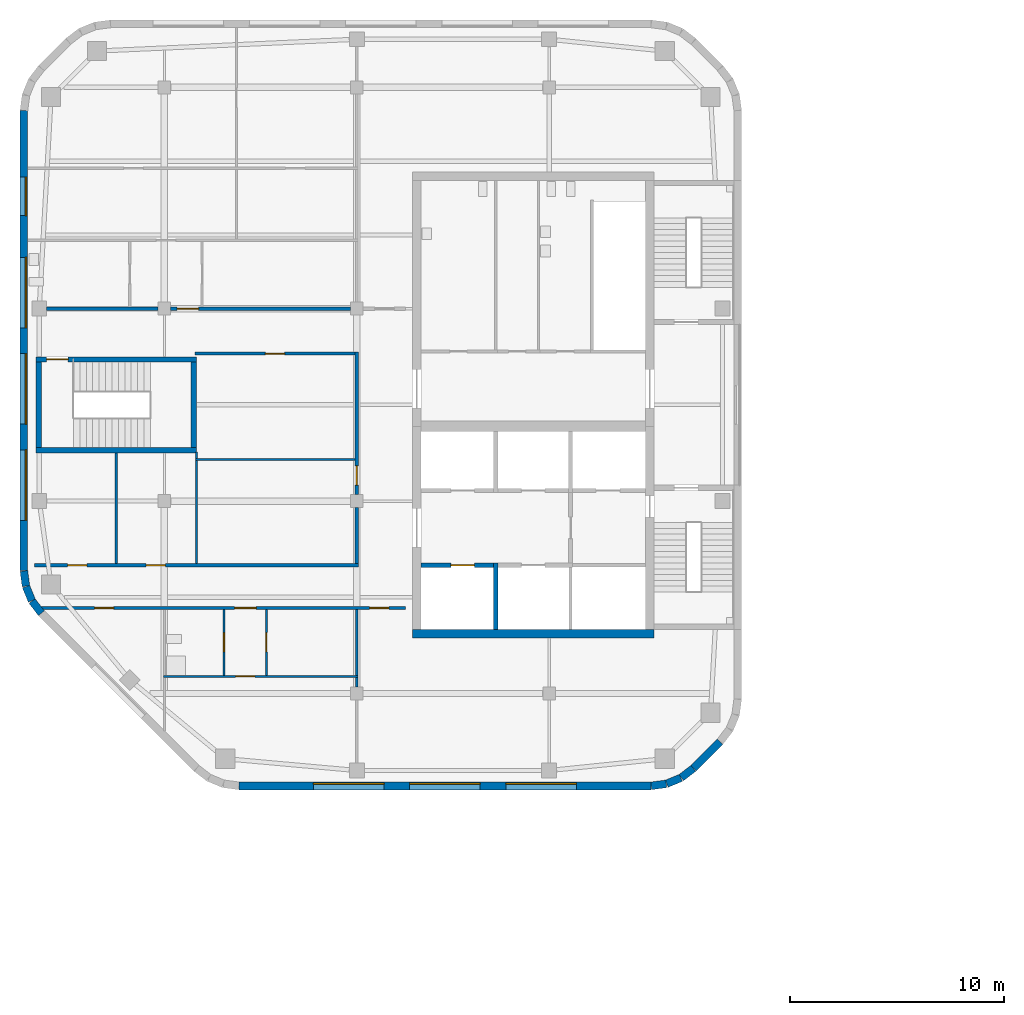
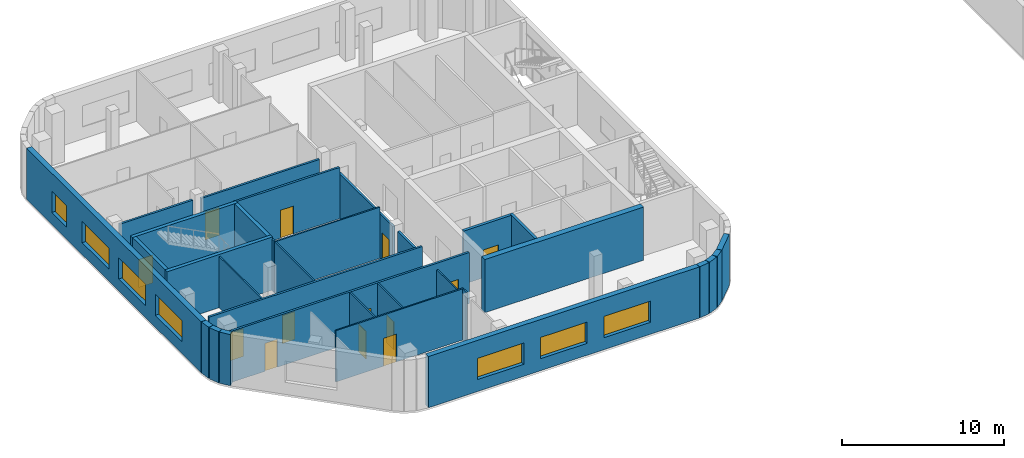
# One storey, part 5 of 14: 32 walls, 13 doors, 7 windows, 20 openings.
"""IFC4 building model written with IfcOpenShell, lengths in metres."""

import ifcopenshell
import ifcopenshell.guid

model = None  # the IFC model being written
_history = None  # IfcOwnerHistory: only IFC2X3 demands one
_inside = {}  # id of a spatial element -> (the spatial element, [elements in it])
_under = {}  # id of a project, library or spatial element -> (it, [spatial elements below it])
_declared = {}  # id of a project -> (the project, [libraries it declares])
_typed = {}  # id of a type object -> (the type object, [elements of that type])
_made_of = {}  # id of a material, layer set ... -> (it, [elements and type objects made of it])


def new_model(schema):
    """Start an empty IFC model of exactly this schema.

    Asked for "IFC4X3", IfcOpenShell would pick the latest addendum, in which some entities
    have other attributes; the version numbers below select the first issue.
    IFC2X3 requires an IfcOwnerHistory on every rooted entity: one is made here for all.
    """
    global model, _history
    if schema == "IFC4X3":
        model = ifcopenshell.file(schema_version=(4, 3, 0, 0))
    else:
        model = ifcopenshell.file(schema=schema)
    _inside.clear()
    _under.clear()
    _declared.clear()
    _typed.clear()
    _made_of.clear()
    _history = None
    if model.schema == "IFC2X3":
        org = make("IfcOrganization", Name="unknown")
        user = make(
            "IfcPersonAndOrganization",
            ThePerson=make("IfcPerson", FamilyName="unknown"),
            TheOrganization=org,
        )
        app = make(
            "IfcApplication",
            ApplicationDeveloper=org,
            Version="unknown",
            ApplicationFullName="unknown",
            ApplicationIdentifier="unknown",
        )
        _history = make(
            "IfcOwnerHistory",
            OwningUser=user,
            OwningApplication=app,
            ChangeAction="ADDED",
            CreationDate=0,
        )
    return model


def make(cls, **values):
    """One entity of the class cls with the attributes given. An attribute that is None is left unset."""
    return model.create_entity(
        cls, **{name: value for name, value in values.items() if value is not None}
    )


def rooted(cls, **values):
    """An entity with a GlobalId (a new one), such as an element, a storey or a relation."""
    return make(cls, GlobalId=ifcopenshell.guid.new(), OwnerHistory=_history, **values)


def si_unit(unit_type, name, prefix=None):
    """IfcSIUnit, for example si_unit("LENGTHUNIT", "METRE", prefix="MILLI")."""
    return make("IfcSIUnit", UnitType=unit_type, Prefix=prefix, Name=name)


def assignment(units):
    """IfcUnitAssignment: the units of a project."""
    return None if units is None else make("IfcUnitAssignment", Units=units)


def point(xyz):
    """IfcCartesianPoint."""
    return None if xyz is None else make("IfcCartesianPoint", Coordinates=xyz)


def direction(xyz):
    """IfcDirection."""
    return None if xyz is None else make("IfcDirection", DirectionRatios=xyz)


def frame(location, z_axis=None, x_axis=None):
    """IfcAxis2Placement3D, a coordinate frame: its origin and axes. An axis left out is left unset."""
    return make(
        "IfcAxis2Placement3D",
        Location=point(location),
        Axis=direction(z_axis),
        RefDirection=direction(x_axis),
    )


def frame_2d(location, x_axis=None):
    """IfcAxis2Placement2D, a coordinate frame in the plane: its origin and x axis."""
    return make(
        "IfcAxis2Placement2D", Location=point(location), RefDirection=direction(x_axis)
    )


def origin():
    """The frame at (0, 0, 0) with its axes left unset."""
    return frame((0.0, 0.0, 0.0))


def place(relative_to, where):
    """IfcLocalPlacement: puts the frame where relative to a parent placement (None: the world)."""
    return make(
        "IfcLocalPlacement", PlacementRelTo=relative_to, RelativePlacement=where
    )


def context(
    kind, dimensions, precision=None, world=None, true_north=None, identifier=None
):
    """IfcGeometricRepresentationContext, for example the 3D "Model" context."""
    return make(
        "IfcGeometricRepresentationContext",
        ContextIdentifier=identifier,
        ContextType=kind,
        CoordinateSpaceDimension=dimensions,
        Precision=precision,
        WorldCoordinateSystem=world,
        TrueNorth=true_north,
    )


def subcontext(parent, identifier, kind, view, scale=None):
    """IfcGeometricRepresentationSubContext, for example "Body" below "Model"."""
    return make(
        "IfcGeometricRepresentationSubContext",
        ContextIdentifier=identifier,
        ContextType=kind,
        ParentContext=parent,
        TargetScale=scale,
        TargetView=view,
    )


def project(units=None, contexts=None):
    """IfcProject with its units and contexts."""
    return rooted(
        "IfcProject",
        Name="project",
        RepresentationContexts=contexts,
        UnitsInContext=assignment(units),
    )


def spatial(cls, under=None, at=None, **own):
    """A site, building, storey or space (cls), placed at a placement, below another one or the project."""
    s = rooted(cls, ObjectPlacement=at, **own)
    if under is not None:
        _under.setdefault(under.id(), (under, []))[1].append(s)
    return s


def profile(cls, at=None, kind="AREA", **sizes):
    """A parametric profile (cls). Its sizes go by their IFC names, for example OverallWidth=200.0."""
    return make(cls, ProfileType=kind, Position=at, **sizes)


def rectangle(**sizes):
    """IfcRectangleProfileDef."""
    return profile("IfcRectangleProfileDef", **sizes)


def extrude(swept, where, along, depth):
    """IfcExtrudedAreaSolid: the profile swept, set in the frame where, extruded along a direction by depth."""
    return make(
        "IfcExtrudedAreaSolid",
        SweptArea=swept,
        Position=where,
        ExtrudedDirection=direction(along),
        Depth=depth,
    )


def shape(context_of_items, identifier, shape_type, items):
    """IfcShapeRepresentation: the items that make up one representation, for example the "Body"."""
    return make(
        "IfcShapeRepresentation",
        ContextOfItems=context_of_items,
        RepresentationIdentifier=identifier,
        RepresentationType=shape_type,
        Items=items,
    )


def material(Name=None, Category=None):
    """IfcMaterial."""
    return make("IfcMaterial", Name=Name, Category=Category)


def layer(
    of_material, thickness, ventilated=None, Name=None, Category=None, Priority=None
):
    """IfcMaterialLayer: one layer of a wall or slab, of a material (None: an air gap)."""
    return make(
        "IfcMaterialLayer",
        Material=of_material,
        LayerThickness=thickness,
        IsVentilated=ventilated,
        Name=Name,
        Category=Category,
        Priority=Priority,
    )


def layer_set(layers, Name=None):
    """IfcMaterialLayerSet."""
    return make("IfcMaterialLayerSet", MaterialLayers=layers, LayerSetName=Name)


def made_of(thing, what):
    """Note that an element or type object is made of a material, layer set ...; save() writes the relation."""
    if what is not None:
        _made_of.setdefault(what.id(), (what, []))[1].append(thing)
    return thing


def type_object(cls, material=None, **own):
    """A type object (cls), such as IfcWallType, which elements share."""
    return made_of(rooted(cls, **own), material)


def element(
    cls,
    number,
    at=None,
    inside=None,
    cuts=None,
    type_object=None,
    material=None,
    context=None,
    identifier="Body",
    shape_type=None,
    held_by="IfcProductDefinitionShape",
    body=None,
    shapes=None,
    **own,
):
    """One element of the class cls, such as IfcWall. Its Tag is "e" and its number.

    at: its placement. inside: the storey or other place that contains it. cuts: it is an
    opening in that element (IfcRelVoidsElement). A single representation is given by context,
    identifier, shape_type and body (its items); several are given by shapes. held_by: the class
    of the entity that holds the representations. save() writes the other relations.
    """
    e = rooted(cls, Tag="e%d" % number, ObjectPlacement=at, **own)
    if body is not None:
        shapes = [shape(context, identifier, shape_type, body)]
    if shapes is not None:
        e.Representation = make(held_by, Representations=shapes)
    if inside is not None:
        _inside.setdefault(inside.id(), (inside, []))[1].append(e)
    if cuts is not None:
        rooted(
            "IfcRelVoidsElement", RelatingBuildingElement=cuts, RelatedOpeningElement=e
        )
    if type_object is not None:
        _typed.setdefault(type_object.id(), (type_object, []))[1].append(e)
    return made_of(e, material)


def fill(opening, filler):
    """IfcRelFillsElement: the door or window that sits in an opening."""
    return rooted(
        "IfcRelFillsElement",
        RelatingOpeningElement=opening,
        RelatedBuildingElement=filler,
    )


def aggregate(whole, parts):
    """IfcRelAggregates: a whole, such as a stair, and the parts it consists of."""
    return rooted("IfcRelAggregates", RelatingObject=whole, RelatedObjects=parts)


def save(model, path):
    """Write the relations noted so far, then the file.

    IfcRelAggregates (storeys below a building ...), IfcRelContainedInSpatialStructure (elements
    in a storey), IfcRelDefinesByType, IfcRelAssociatesMaterial and IfcRelDeclares: one each for
    every whole, place, type object, material and project.
    """
    for whole, parts in _under.values():
        aggregate(whole, parts)
    for where, things in _inside.values():
        rooted(
            "IfcRelContainedInSpatialStructure",
            RelatedElements=things,
            RelatingStructure=where,
        )
    for kind, things in _typed.values():
        rooted("IfcRelDefinesByType", RelatedObjects=things, RelatingType=kind)
    for what, things in _made_of.values():
        rooted("IfcRelAssociatesMaterial", RelatedObjects=things, RelatingMaterial=what)
    for by, libraries in _declared.values():
        rooted("IfcRelDeclares", RelatingContext=by, RelatedDefinitions=libraries)
    model.write(path)


model = new_model("IFC4")

# Units and contexts
model_context = context("Model", 3, precision=1e-05, world=origin(), true_north=direction((0.0, 1.0)))
body_context = subcontext(model_context, "Body", "Model", "MODEL_VIEW")
ifc_project = project(units=[si_unit("LENGTHUNIT", "METRE"), si_unit("AREAUNIT", "SQUARE_METRE"), si_unit("VOLUMEUNIT", "CUBIC_METRE"), si_unit("PLANEANGLEUNIT", "RADIAN"), si_unit("MASSUNIT", "GRAM", prefix="KILO")], contexts=[model_context])

# Site, building, storey
site_placement = place(None, origin())
site = spatial("IfcSite", under=ifc_project, at=site_placement, CompositionType="ELEMENT")
building_placement = place(site_placement, origin())
building = spatial("IfcBuilding", under=site, at=building_placement, Name="Cinnabar Reach Civic Tower", CompositionType="ELEMENT")
storey_placement = place(building_placement, frame((0.0, 0.0, 108.0)))
storey = spatial("IfcBuildingStorey", under=building, at=storey_placement, Name="L25", CompositionType="ELEMENT", Elevation=108.0)

# Walls
ifc_material_1 = material(Name="Facing brick with insulated backing", Category="masonry")
ifc_layer_1 = layer(ifc_material_1, 0.36)
ifc_layer_set_1 = layer_set([ifc_layer_1], Name="Brick corner wall")
wall_type_1 = type_object("IfcWallType", Name="Brick corner wall", PredefinedType="STANDARD", material=ifc_layer_set_1)
for number, where, z_axis, x_axis, name in (
    (1, (-31.2314, 13.683, 0.0), (0.0, 0.0, 1.0), (0.99144092581, 0.13055608231, 0.0), "Brick corner wall"),
    (2, (-30.5027, 13.7819, 0.0), (0.0, 0.0, 1.0), (0.923871547278, 0.382702709855, 0.0), "Brick corner wall"),
):
    element("IfcWall", number, at=place(storey_placement, frame(where, z_axis=z_axis, x_axis=x_axis)), inside=storey, type_object=wall_type_1, Name=name, PredefinedType="STANDARD", context=body_context, shape_type="SweptSolid", body=[
        extrude(rectangle(XDim=0.7131, YDim=0.36, at=frame_2d((0.3565, 0.0))), origin(), (0.0, 0.0, 1.0), 3.85),
    ])
wall_1_placement = place(storey_placement, frame((-29.8245, 14.066, 0.0), z_axis=(0.0, 0.0, 1.0), x_axis=(0.793321924995, 0.608802368033, 0.0)))
element("IfcWall", 3, at=wall_1_placement, inside=storey, type_object=wall_type_1, Name="Brick corner wall", PredefinedType="STANDARD", context=body_context, shape_type="SweptSolid", body=[
    extrude(rectangle(XDim=0.7132, YDim=0.36, at=frame_2d((0.3566, 0.0))), origin(), (0.0, 0.0, 1.0), 3.85),
])
for number, where, z_axis, x_axis, name in (
    (4, (-60.567, 23.7314, 0.0), (0.0, 0.0, 1.0), (0.13055608231, -0.99144092581, 0.0), "Brick corner wall"),
    (5, (-60.4681, 23.0027, 0.0), (0.0, 0.0, 1.0), (0.382702709855, -0.923871547278, 0.0), "Brick corner wall"),
):
    element("IfcWall", number, at=place(storey_placement, frame(where, z_axis=z_axis, x_axis=x_axis)), inside=storey, type_object=wall_type_1, Name=name, PredefinedType="STANDARD", context=body_context, shape_type="SweptSolid", body=[
        extrude(rectangle(XDim=0.7131, YDim=0.36, at=frame_2d((0.3565, 0.0))), origin(), (0.0, 0.0, 1.0), 3.85),
    ])
wall_2_placement = place(storey_placement, frame((-60.184, 22.3245, 0.0), z_axis=(0.0, 0.0, 1.0), x_axis=(0.608802368033, -0.793321924995, 0.0)))
element("IfcWall", 6, at=wall_2_placement, inside=storey, type_object=wall_type_1, Name="Brick corner wall", PredefinedType="STANDARD", context=body_context, shape_type="SweptSolid", body=[
    extrude(rectangle(XDim=0.7132, YDim=0.36, at=frame_2d((0.3566, 0.0))), origin(), (0.0, 0.0, 1.0), 3.85),
])

# Wall, openings, windows
ifc_layer_2 = layer(ifc_material_1, 0.36)
ifc_layer_set_2 = layer_set([ifc_layer_2], Name="Brick pier and spandrel wall")
wall_type_2 = type_object("IfcWallType", Name="Brick pier and spandrel wall", PredefinedType="STANDARD", material=ifc_layer_set_2)
wall_3_placement = place(storey_placement, frame((-50.5074, 13.68, 0.0), z_axis=(0.0, 0.0, 1.0), x_axis=(1.0, 0.0, 0.0)))
wall_3 = element("IfcWall", 7, at=wall_3_placement, inside=storey, type_object=wall_type_2, Name="Brick facade wall", PredefinedType="STANDARD", context=body_context, shape_type="SweptSolid", body=[
    extrude(rectangle(XDim=19.2648, YDim=0.36, at=frame_2d((9.6324, 0.0))), origin(), (0.0, 0.0, 1.0), 3.85),
])
opening_1_placement = place(wall_3_placement, frame((3.4824, 0.0, 0.9)))
opening_1 = element("IfcOpeningElement", 8, at=opening_1_placement, cuts=wall_3, Name="Opening W2695", PredefinedType="OPENING", context=body_context, shape_type="SweptSolid", body=[
    extrude(rectangle(XDim=3.3, YDim=1.6, at=frame_2d((1.65, 0.8))), frame((0.0, 0.19, 0.0), z_axis=(0.0, -1.0, 0.0), x_axis=(1.0, 0.0, 0.0)), (0.0, 0.0, 1.0), 0.38),
])
opening_2_placement = place(wall_3_placement, frame((7.9824, 0.0, 0.9)))
opening_2 = element("IfcOpeningElement", 9, at=opening_2_placement, cuts=wall_3, Name="Opening W2696", PredefinedType="OPENING", context=body_context, shape_type="SweptSolid", body=[
    extrude(rectangle(XDim=3.3, YDim=1.6, at=frame_2d((1.65, 0.8))), frame((0.0, 0.19, 0.0), z_axis=(0.0, -1.0, 0.0), x_axis=(1.0, 0.0, 0.0)), (0.0, 0.0, 1.0), 0.38),
])
opening_3_placement = place(wall_3_placement, frame((12.4824, 0.0, 0.9)))
opening_3 = element("IfcOpeningElement", 10, at=opening_3_placement, cuts=wall_3, Name="Opening W2697", PredefinedType="OPENING", context=body_context, shape_type="SweptSolid", body=[
    extrude(rectangle(XDim=3.3, YDim=1.6, at=frame_2d((1.65, 0.8))), frame((0.0, 0.19, 0.0), z_axis=(0.0, -1.0, 0.0), x_axis=(1.0, 0.0, 0.0)), (0.0, 0.0, 1.0), 0.38),
])
ifc_material_2 = material(Name="Clear double glazing in aluminium frame", Category="aluminium")
window_type_1 = type_object("IfcWindowType", Name="Deep-set window A", PartitioningType="SINGLE_PANEL", PredefinedType="WINDOW", material=ifc_material_2)
window_1_placement = place(opening_1_placement, origin())
window_1 = element("IfcWindow", 11, at=window_1_placement, inside=storey, type_object=window_type_1, Name="Window south face", OverallHeight=1.6, OverallWidth=3.3, PartitioningType="SINGLE_PANEL", PredefinedType="WINDOW", context=body_context, shape_type="SweptSolid", body=[
    extrude(rectangle(XDim=3.3, YDim=1.6, at=frame_2d((1.65, 0.8))), frame((0.0, 0.13, 0.0), z_axis=(0.0, -1.0, 0.0), x_axis=(1.0, 0.0, 0.0)), (0.0, 0.0, 1.0), 0.06),
])
fill(opening_1, window_1)
window_2_placement = place(opening_2_placement, origin())
window_2 = element("IfcWindow", 12, at=window_2_placement, inside=storey, type_object=window_type_1, Name="Window south face", OverallHeight=1.6, OverallWidth=3.3, PartitioningType="SINGLE_PANEL", PredefinedType="WINDOW", context=body_context, shape_type="SweptSolid", body=[
    extrude(rectangle(XDim=3.3, YDim=1.6, at=frame_2d((1.65, 0.8))), frame((0.0, 0.13, 0.0), z_axis=(0.0, -1.0, 0.0), x_axis=(1.0, 0.0, 0.0)), (0.0, 0.0, 1.0), 0.06),
])
fill(opening_2, window_2)
window_3_placement = place(opening_3_placement, origin())
window_3 = element("IfcWindow", 13, at=window_3_placement, inside=storey, type_object=window_type_1, Name="Window south face", OverallHeight=1.6, OverallWidth=3.3, PartitioningType="SINGLE_PANEL", PredefinedType="WINDOW", context=body_context, shape_type="SweptSolid", body=[
    extrude(rectangle(XDim=3.3, YDim=1.6, at=frame_2d((1.65, 0.8))), frame((0.0, 0.13, 0.0), z_axis=(0.0, -1.0, 0.0), x_axis=(1.0, 0.0, 0.0)), (0.0, 0.0, 1.0), 0.06),
])
fill(opening_3, window_3)

# Wall
wall_4_placement = place(storey_placement, frame((-29.2486, 14.506, 0.0), z_axis=(0.0, 0.0, 1.0), x_axis=(0.707106781187, 0.707106781187, 0.0)))
element("IfcWall", 14, at=wall_4_placement, inside=storey, type_object=wall_type_2, Name="Brick facade wall", PredefinedType="STANDARD", context=body_context, shape_type="SweptSolid", body=[
    extrude(rectangle(XDim=1.7573, YDim=0.36, at=frame_2d((0.8787, 0.0))), origin(), (0.0, 0.0, 1.0), 3.85),
])

# Wall, openings, windows
wall_5_placement = place(storey_placement, frame((-60.57, 45.2574, 0.0), z_axis=(0.0, 0.0, 1.0), x_axis=(0.0, -1.0, 0.0)))
wall_5 = element("IfcWall", 15, at=wall_5_placement, inside=storey, type_object=wall_type_2, Name="Brick facade wall", PredefinedType="STANDARD", context=body_context, shape_type="SweptSolid", body=[
    extrude(rectangle(XDim=21.5148, YDim=0.36, at=frame_2d((10.7574, 0.0))), origin(), (0.0, 0.0, 1.0), 3.85),
])
opening_4_placement = place(wall_5_placement, frame((3.1074, 0.0, 0.9)))
opening_4 = element("IfcOpeningElement", 16, at=opening_4_placement, cuts=wall_5, Name="Opening W2704", PredefinedType="OPENING", context=body_context, shape_type="SweptSolid", body=[
    extrude(rectangle(XDim=1.8, YDim=1.6, at=frame_2d((0.9, 0.8))), frame((0.0, 0.19, 0.0), z_axis=(0.0, -1.0, 0.0), x_axis=(1.0, 0.0, 0.0)), (0.0, 0.0, 1.0), 0.38),
])
opening_5_placement = place(wall_5_placement, frame((6.8574, 0.0, 0.9)))
opening_5 = element("IfcOpeningElement", 17, at=opening_5_placement, cuts=wall_5, Name="Opening W2705", PredefinedType="OPENING", context=body_context, shape_type="SweptSolid", body=[
    extrude(rectangle(XDim=3.3, YDim=1.6, at=frame_2d((1.65, 0.8))), frame((0.0, 0.19, 0.0), z_axis=(0.0, -1.0, 0.0), x_axis=(1.0, 0.0, 0.0)), (0.0, 0.0, 1.0), 0.38),
])
opening_6_placement = place(wall_5_placement, frame((11.3574, 0.0, 0.9)))
opening_6 = element("IfcOpeningElement", 18, at=opening_6_placement, cuts=wall_5, Name="Opening W2706", PredefinedType="OPENING", context=body_context, shape_type="SweptSolid", body=[
    extrude(rectangle(XDim=3.3, YDim=1.6, at=frame_2d((1.65, 0.8))), frame((0.0, 0.19, 0.0), z_axis=(0.0, -1.0, 0.0), x_axis=(1.0, 0.0, 0.0)), (0.0, 0.0, 1.0), 0.38),
])
opening_7_placement = place(wall_5_placement, frame((15.8574, 0.0, 0.9)))
opening_7 = element("IfcOpeningElement", 19, at=opening_7_placement, cuts=wall_5, Name="Opening W2707", PredefinedType="OPENING", context=body_context, shape_type="SweptSolid", body=[
    extrude(rectangle(XDim=3.3, YDim=1.6, at=frame_2d((1.65, 0.8))), frame((0.0, 0.19, 0.0), z_axis=(0.0, -1.0, 0.0), x_axis=(1.0, 0.0, 0.0)), (0.0, 0.0, 1.0), 0.38),
])
window_4_placement = place(opening_5_placement, origin())
window_4 = element("IfcWindow", 20, at=window_4_placement, inside=storey, type_object=window_type_1, Name="Window west face", OverallHeight=1.6, OverallWidth=3.3, PartitioningType="SINGLE_PANEL", PredefinedType="WINDOW", context=body_context, shape_type="SweptSolid", body=[
    extrude(rectangle(XDim=3.3, YDim=1.6, at=frame_2d((1.65, 0.8))), frame((0.0, 0.13, 0.0), z_axis=(0.0, -1.0, 0.0), x_axis=(1.0, 0.0, 0.0)), (0.0, 0.0, 1.0), 0.06),
])
fill(opening_5, window_4)
window_5_placement = place(opening_6_placement, origin())
window_5 = element("IfcWindow", 21, at=window_5_placement, inside=storey, type_object=window_type_1, Name="Window west face", OverallHeight=1.6, OverallWidth=3.3, PartitioningType="SINGLE_PANEL", PredefinedType="WINDOW", context=body_context, shape_type="SweptSolid", body=[
    extrude(rectangle(XDim=3.3, YDim=1.6, at=frame_2d((1.65, 0.8))), frame((0.0, 0.13, 0.0), z_axis=(0.0, -1.0, 0.0), x_axis=(1.0, 0.0, 0.0)), (0.0, 0.0, 1.0), 0.06),
])
fill(opening_6, window_5)
window_6_placement = place(opening_7_placement, origin())
window_6 = element("IfcWindow", 22, at=window_6_placement, inside=storey, type_object=window_type_1, Name="Window west face", OverallHeight=1.6, OverallWidth=3.3, PartitioningType="SINGLE_PANEL", PredefinedType="WINDOW", context=body_context, shape_type="SweptSolid", body=[
    extrude(rectangle(XDim=3.3, YDim=1.6, at=frame_2d((1.65, 0.8))), frame((0.0, 0.13, 0.0), z_axis=(0.0, -1.0, 0.0), x_axis=(1.0, 0.0, 0.0)), (0.0, 0.0, 1.0), 0.06),
])
fill(opening_7, window_6)
window_type_2 = type_object("IfcWindowType", Name="Deep-set window D", PartitioningType="SINGLE_PANEL", PredefinedType="WINDOW", material=ifc_material_2)
window_7_placement = place(opening_4_placement, origin())
window_7 = element("IfcWindow", 23, at=window_7_placement, inside=storey, type_object=window_type_2, Name="Window west face", OverallHeight=1.6, OverallWidth=1.8, PartitioningType="SINGLE_PANEL", PredefinedType="WINDOW", context=body_context, shape_type="SweptSolid", body=[
    extrude(rectangle(XDim=1.8, YDim=1.6, at=frame_2d((0.9, 0.8))), frame((0.0, 0.13, 0.0), z_axis=(0.0, -1.0, 0.0), x_axis=(1.0, 0.0, 0.0)), (0.0, 0.0, 1.0), 0.06),
])
fill(opening_4, window_7)

# Wall
ifc_material_3 = material(Name="Concrete C60", Category="concrete")
ifc_layer_3 = layer(ifc_material_3, 0.4)
ifc_layer_set_3 = layer_set([ifc_layer_3], Name="Core wall 400 EI 180")
wall_type_3 = type_object("IfcWallType", Name="Core wall 400 EI 180", PredefinedType="SOLIDWALL", material=ifc_layer_set_3)
wall_6_placement = place(storey_placement, frame((-42.4, 20.8, 0.0), z_axis=(0.0, 0.0, 1.0), x_axis=(1.0, 0.0, 0.0)))
element("IfcWall", 24, at=wall_6_placement, inside=storey, type_object=wall_type_3, Name="Core wall T2 L25 S", PredefinedType="SOLIDWALL", context=body_context, shape_type="SweptSolid", body=[
    extrude(rectangle(XDim=11.3, YDim=0.4, at=frame_2d((5.65, 0.0))), origin(), (0.0, 0.0, 1.0), 4.0),
])

# Wall, opening, door
ifc_material_4 = material(Name="Gypsum board on steel studs, double layer", Category="steel")
ifc_layer_4 = layer(ifc_material_4, 0.15)
ifc_layer_set_4 = layer_set([ifc_layer_4], Name="Corridor wall 150 T2")
wall_type_4 = type_object("IfcWallType", Name="Corridor wall 150 T2", PredefinedType="PARTITIONING", material=ifc_layer_set_4)
wall_7_placement = place(storey_placement, frame((-53.7, 36.0, 0.0), z_axis=(0.0, 0.0, 1.0), x_axis=(1.0, 0.0, 0.0)))
wall_7 = element("IfcWall", 25, at=wall_7_placement, inside=storey, type_object=wall_type_4, Name="Corridor wall 2", PredefinedType="PARTITIONING", context=body_context, shape_type="SweptSolid", body=[
    extrude(rectangle(XDim=8.4, YDim=0.15, at=frame_2d((4.2, 0.0))), origin(), (0.0, 0.0, 1.0), 3.262),
])
opening_8_placement = place(wall_7_placement, frame((0.3, 0.0, 0.0)))
opening_8 = element("IfcOpeningElement", 26, at=opening_8_placement, cuts=wall_7, Name="Opening D6936", PredefinedType="OPENING", context=body_context, shape_type="SweptSolid", body=[
    extrude(rectangle(XDim=1.0, YDim=2.1, at=frame_2d((0.5, 1.05))), frame((0.0, 0.085, 0.0), z_axis=(0.0, -1.0, 0.0), x_axis=(1.0, 0.0, 0.0)), (0.0, 0.0, 1.0), 0.17),
])
ifc_material_5 = material(Name="Timber door leaf in steel frame", Category="steel")
door_type_1 = type_object("IfcDoorType", Name="Tenancy entrance door 1000 x 2100 T2", OperationType="SINGLE_SWING_LEFT", PredefinedType="DOOR", material=ifc_material_5)
door_1_placement = place(opening_8_placement, origin())
door_1 = element("IfcDoor", 27, at=door_1_placement, inside=storey, type_object=door_type_1, Name="Door D6936", OperationType="SINGLE_SWING_RIGHT", OverallHeight=2.1, OverallWidth=1.0, PredefinedType="DOOR", context=body_context, shape_type="SweptSolid", body=[
    extrude(rectangle(XDim=1.0, YDim=2.1, at=frame_2d((0.5, 1.05))), frame((0.0, 0.025, 0.0), z_axis=(0.0, -1.0, 0.0), x_axis=(1.0, 0.0, 0.0)), (0.0, 0.0, 1.0), 0.05),
])
fill(opening_8, door_1)

# Wall
wall_8_placement = place(storey_placement, frame((-59.5, 36.0, 0.0), z_axis=(0.0, 0.0, 1.0), x_axis=(1.0, 0.0, 0.0)))
element("IfcWall", 28, at=wall_8_placement, inside=storey, type_object=wall_type_4, Name="Corridor wall 3", PredefinedType="PARTITIONING", context=body_context, shape_type="SweptSolid", body=[
    extrude(rectangle(XDim=5.2, YDim=0.15, at=frame_2d((2.6, 0.0))), origin(), (0.0, 0.0, 1.0), 3.35),
])

# Wall, openings, doors
wall_9_placement = place(storey_placement, frame((-59.7657, 22.0, 0.0), z_axis=(0.0, 0.0, 1.0), x_axis=(1.0, 0.0, 0.0)))
wall_9 = element("IfcWall", 29, at=wall_9_placement, inside=storey, type_object=wall_type_4, Name="Corridor wall 4", PredefinedType="PARTITIONING", context=body_context, shape_type="SweptSolid", body=[
    extrude(rectangle(XDim=17.0407, YDim=0.15, at=frame_2d((8.5204, 0.0))), origin(), (0.0, 0.0, 1.0), 3.85),
])
opening_9_placement = place(wall_9_placement, frame((15.3657, 0.0, 0.0)))
opening_9 = element("IfcOpeningElement", 30, at=opening_9_placement, cuts=wall_9, Name="Opening D6924", PredefinedType="OPENING", context=body_context, shape_type="SweptSolid", body=[
    extrude(rectangle(XDim=0.9, YDim=2.1, at=frame_2d((0.45, 1.05))), frame((0.0, 0.085, 0.0), z_axis=(0.0, -1.0, 0.0), x_axis=(1.0, 0.0, 0.0)), (0.0, 0.0, 1.0), 0.17),
])
opening_10_placement = place(wall_9_placement, frame((2.5, 0.0, 0.0)))
opening_10 = element("IfcOpeningElement", 31, at=opening_10_placement, cuts=wall_9, Name="Opening D6925", PredefinedType="OPENING", context=body_context, shape_type="SweptSolid", body=[
    extrude(rectangle(XDim=0.9, YDim=2.1, at=frame_2d((0.45, 1.05))), frame((0.0, 0.085, 0.0), z_axis=(0.0, -1.0, 0.0), x_axis=(1.0, 0.0, 0.0)), (0.0, 0.0, 1.0), 0.17),
])
opening_11_placement = place(wall_9_placement, frame((9.0557, 0.0, 0.0)))
opening_11 = element("IfcOpeningElement", 32, at=opening_11_placement, cuts=wall_9, Name="Opening D6929", PredefinedType="OPENING", context=body_context, shape_type="SweptSolid", body=[
    extrude(rectangle(XDim=1.0, YDim=2.1, at=frame_2d((0.5, 1.05))), frame((0.0, 0.085, 0.0), z_axis=(0.0, -1.0, 0.0), x_axis=(1.0, 0.0, 0.0)), (0.0, 0.0, 1.0), 0.17),
])
door_type_2 = type_object("IfcDoorType", Name="Single swing door 900 x 2100 T2", OperationType="SINGLE_SWING_LEFT", PredefinedType="DOOR", material=ifc_material_5)
door_2_placement = place(opening_9_placement, frame((0.9, 0.0, 0.0), z_axis=(0.0, 0.0, 1.0), x_axis=(-1.0, 0.0, 0.0)))
door_2 = element("IfcDoor", 33, at=door_2_placement, inside=storey, type_object=door_type_2, Name="Door D6924", OperationType="SINGLE_SWING_RIGHT", OverallHeight=2.1, OverallWidth=0.9, PredefinedType="DOOR", context=body_context, shape_type="SweptSolid", body=[
    extrude(rectangle(XDim=0.9, YDim=2.1, at=frame_2d((0.45, 1.05))), frame((0.0, 0.025, 0.0), z_axis=(0.0, -1.0, 0.0), x_axis=(1.0, 0.0, 0.0)), (0.0, 0.0, 1.0), 0.05),
])
fill(opening_9, door_2)
door_3_placement = place(opening_10_placement, frame((0.9, 0.0, 0.0), z_axis=(0.0, 0.0, 1.0), x_axis=(-1.0, 0.0, 0.0)))
door_3 = element("IfcDoor", 34, at=door_3_placement, inside=storey, type_object=door_type_2, Name="Door D6925", OperationType="SINGLE_SWING_LEFT", OverallHeight=2.1, OverallWidth=0.9, PredefinedType="DOOR", context=body_context, shape_type="SweptSolid", body=[
    extrude(rectangle(XDim=0.9, YDim=2.1, at=frame_2d((0.45, 1.05))), frame((0.0, 0.025, 0.0), z_axis=(0.0, -1.0, 0.0), x_axis=(1.0, 0.0, 0.0)), (0.0, 0.0, 1.0), 0.05),
])
fill(opening_10, door_3)
door_4_placement = place(opening_11_placement, frame((1.0, 0.0, 0.0), z_axis=(0.0, 0.0, 1.0), x_axis=(-1.0, 0.0, 0.0)))
door_4 = element("IfcDoor", 35, at=door_4_placement, inside=storey, type_object=door_type_1, Name="Door D6929", OperationType="SINGLE_SWING_RIGHT", OverallHeight=2.1, OverallWidth=1.0, PredefinedType="DOOR", context=body_context, shape_type="SweptSolid", body=[
    extrude(rectangle(XDim=1.0, YDim=2.1, at=frame_2d((0.5, 1.05))), frame((0.0, 0.025, 0.0), z_axis=(0.0, -1.0, 0.0), x_axis=(1.0, 0.0, 0.0)), (0.0, 0.0, 1.0), 0.05),
])
fill(opening_11, door_4)

wall_10_placement = place(storey_placement, frame((-60.075, 24.0, 0.0), z_axis=(0.0, 0.0, 1.0), x_axis=(1.0, 0.0, 0.0)))
wall_10 = element("IfcWall", 36, at=wall_10_placement, inside=storey, type_object=wall_type_4, Name="Corridor wall 5", PredefinedType="PARTITIONING", context=body_context, shape_type="SweptSolid", body=[
    extrude(rectangle(XDim=15.15, YDim=0.15, at=frame_2d((7.575, 0.0))), origin(), (0.0, 0.0, 1.0), 3.85),
])
opening_12_placement = place(wall_10_placement, frame((1.55, 0.0, 0.0)))
opening_12 = element("IfcOpeningElement", 37, at=opening_12_placement, cuts=wall_10, Name="Opening D6937", PredefinedType="OPENING", context=body_context, shape_type="SweptSolid", body=[
    extrude(rectangle(XDim=0.9, YDim=2.1, at=frame_2d((0.45, 1.05))), frame((0.0, 0.085, 0.0), z_axis=(0.0, -1.0, 0.0), x_axis=(1.0, 0.0, 0.0)), (0.0, 0.0, 1.0), 0.17),
])
opening_13_placement = place(wall_10_placement, frame((5.225, 0.0, 0.0)))
opening_13 = element("IfcOpeningElement", 38, at=opening_13_placement, cuts=wall_10, Name="Opening D6938", PredefinedType="OPENING", context=body_context, shape_type="SweptSolid", body=[
    extrude(rectangle(XDim=0.9, YDim=2.1, at=frame_2d((0.45, 1.05))), frame((0.0, 0.085, 0.0), z_axis=(0.0, -1.0, 0.0), x_axis=(1.0, 0.0, 0.0)), (0.0, 0.0, 1.0), 0.17),
])
door_5_placement = place(opening_12_placement, origin())
door_5 = element("IfcDoor", 39, at=door_5_placement, inside=storey, type_object=door_type_2, Name="Door D6937", OperationType="SINGLE_SWING_LEFT", OverallHeight=2.1, OverallWidth=0.9, PredefinedType="DOOR", context=body_context, shape_type="SweptSolid", body=[
    extrude(rectangle(XDim=0.9, YDim=2.1, at=frame_2d((0.45, 1.05))), frame((0.0, 0.025, 0.0), z_axis=(0.0, -1.0, 0.0), x_axis=(1.0, 0.0, 0.0)), (0.0, 0.0, 1.0), 0.05),
])
fill(opening_12, door_5)
door_6_placement = place(opening_13_placement, origin())
door_6 = element("IfcDoor", 40, at=door_6_placement, inside=storey, type_object=door_type_2, Name="Door D6938", OperationType="SINGLE_SWING_RIGHT", OverallHeight=2.1, OverallWidth=0.9, PredefinedType="DOOR", context=body_context, shape_type="SweptSolid", body=[
    extrude(rectangle(XDim=0.9, YDim=2.1, at=frame_2d((0.45, 1.05))), frame((0.0, 0.025, 0.0), z_axis=(0.0, -1.0, 0.0), x_axis=(1.0, 0.0, 0.0)), (0.0, 0.0, 1.0), 0.05),
])
fill(opening_13, door_6)

# Wall
wall_11_placement = place(storey_placement, frame((-45.0, 24.075, 0.0), z_axis=(0.0, 0.0, 1.0), x_axis=(0.0, 1.0, 0.0)))
element("IfcWall", 41, at=wall_11_placement, inside=storey, type_object=wall_type_4, Name="Corridor wall 6", PredefinedType="PARTITIONING", context=body_context, shape_type="SweptSolid", body=[
    extrude(rectangle(XDim=2.625, YDim=0.15, at=frame_2d((1.3125, 0.0))), origin(), (0.0, 0.0, 1.0), 3.362),
])

# Wall, opening, door
wall_12_placement = place(storey_placement, frame((-45.0, 27.3, 0.0), z_axis=(0.0, 0.0, 1.0), x_axis=(0.0, 1.0, 0.0)))
wall_12 = element("IfcWall", 42, at=wall_12_placement, inside=storey, type_object=wall_type_4, Name="Corridor wall 7", PredefinedType="PARTITIONING", context=body_context, shape_type="SweptSolid", body=[
    extrude(rectangle(XDim=6.675, YDim=0.15, at=frame_2d((3.3375, 0.0))), origin(), (0.0, 0.0, 1.0), 3.362),
])
opening_14_placement = place(wall_12_placement, frame((0.45, 0.0, 0.0)))
opening_14 = element("IfcOpeningElement", 43, at=opening_14_placement, cuts=wall_12, Name="Opening D6939", PredefinedType="OPENING", context=body_context, shape_type="SweptSolid", body=[
    extrude(rectangle(XDim=0.9, YDim=2.1, at=frame_2d((0.45, 1.05))), frame((0.0, 0.085, 0.0), z_axis=(0.0, -1.0, 0.0), x_axis=(1.0, 0.0, 0.0)), (0.0, 0.0, 1.0), 0.17),
])
door_7_placement = place(opening_14_placement, origin())
door_7 = element("IfcDoor", 44, at=door_7_placement, inside=storey, type_object=door_type_2, Name="Door D6939", OperationType="SINGLE_SWING_RIGHT", OverallHeight=2.1, OverallWidth=0.9, PredefinedType="DOOR", context=body_context, shape_type="SweptSolid", body=[
    extrude(rectangle(XDim=0.9, YDim=2.1, at=frame_2d((0.45, 1.05))), frame((0.0, 0.025, 0.0), z_axis=(0.0, -1.0, 0.0), x_axis=(1.0, 0.0, 0.0)), (0.0, 0.0, 1.0), 0.05),
])
fill(opening_14, door_7)

wall_13_placement = place(storey_placement, frame((-52.575, 33.9, 0.0), z_axis=(0.0, 0.0, 1.0), x_axis=(1.0, 0.0, 0.0)))
wall_13 = element("IfcWall", 45, at=wall_13_placement, inside=storey, type_object=wall_type_4, Name="Corridor wall 8", PredefinedType="PARTITIONING", context=body_context, shape_type="SweptSolid", body=[
    extrude(rectangle(XDim=7.5, YDim=0.15, at=frame_2d((3.75, 0.0))), origin(), (0.0, 0.0, 1.0), 3.85),
])
opening_15_placement = place(wall_13_placement, frame((3.3, 0.0, 0.0)))
opening_15 = element("IfcOpeningElement", 46, at=opening_15_placement, cuts=wall_13, Name="Opening D6940", PredefinedType="OPENING", context=body_context, shape_type="SweptSolid", body=[
    extrude(rectangle(XDim=0.9, YDim=2.1, at=frame_2d((0.45, 1.05))), frame((0.0, 0.085, 0.0), z_axis=(0.0, -1.0, 0.0), x_axis=(1.0, 0.0, 0.0)), (0.0, 0.0, 1.0), 0.17),
])
door_8_placement = place(opening_15_placement, frame((0.9, 0.0, 0.0), z_axis=(0.0, 0.0, 1.0), x_axis=(-1.0, 0.0, 0.0)))
door_8 = element("IfcDoor", 47, at=door_8_placement, inside=storey, type_object=door_type_2, Name="Door D6940", OperationType="SINGLE_SWING_RIGHT", OverallHeight=2.1, OverallWidth=0.9, PredefinedType="DOOR", context=body_context, shape_type="SweptSolid", body=[
    extrude(rectangle(XDim=0.9, YDim=2.1, at=frame_2d((0.45, 1.05))), frame((0.0, 0.025, 0.0), z_axis=(0.0, -1.0, 0.0), x_axis=(1.0, 0.0, 0.0)), (0.0, 0.0, 1.0), 0.05),
])
fill(opening_15, door_8)

ifc_material_6 = material(Name="Gypsum board on steel studs", Category="steel")
ifc_layer_5 = layer(ifc_material_6, 0.1)
ifc_layer_set_5 = layer_set([ifc_layer_5], Name="Partition wall 100 T2")
wall_type_5 = type_object("IfcWallType", Name="Partition wall 100 T2", PredefinedType="PARTITIONING", material=ifc_layer_set_5)
wall_14_placement = place(storey_placement, frame((-54.05, 18.8, 0.0), z_axis=(0.0, 0.0, 1.0), x_axis=(1.0, 0.0, 0.0)))
wall_14 = element("IfcWall", 48, at=wall_14_placement, inside=storey, type_object=wall_type_5, Name="Partition wall 17", PredefinedType="PARTITIONING", context=body_context, shape_type="SweptSolid", body=[
    extrude(rectangle(XDim=9.1, YDim=0.1, at=frame_2d((4.55, 0.0))), origin(), (0.0, 0.0, 1.0), 3.85),
])
opening_16_placement = place(wall_14_placement, frame((3.39, 0.0, 0.0)))
opening_16 = element("IfcOpeningElement", 49, at=opening_16_placement, cuts=wall_14, Name="Opening D6928", PredefinedType="OPENING", context=body_context, shape_type="SweptSolid", body=[
    extrude(rectangle(XDim=0.9, YDim=2.1, at=frame_2d((0.45, 1.05))), frame((0.0, 0.06, 0.0), z_axis=(0.0, -1.0, 0.0), x_axis=(1.0, 0.0, 0.0)), (0.0, 0.0, 1.0), 0.12),
])
door_9_placement = place(opening_16_placement, origin())
door_9 = element("IfcDoor", 50, at=door_9_placement, inside=storey, type_object=door_type_2, Name="Door D6928", OperationType="SINGLE_SWING_RIGHT", OverallHeight=2.1, OverallWidth=0.9, PredefinedType="DOOR", context=body_context, shape_type="SweptSolid", body=[
    extrude(rectangle(XDim=0.9, YDim=2.1, at=frame_2d((0.45, 1.05))), frame((0.0, 0.025, 0.0), z_axis=(0.0, -1.0, 0.0), x_axis=(1.0, 0.0, 0.0)), (0.0, 0.0, 1.0), 0.05),
])
fill(opening_16, door_9)

# Walls
wall_15_placement = place(storey_placement, frame((-45.0, 18.85, 0.0), z_axis=(0.0, 0.0, 1.0), x_axis=(0.0, 1.0, 0.0)))
element("IfcWall", 51, at=wall_15_placement, inside=storey, type_object=wall_type_5, Name="Partition wall 18", PredefinedType="PARTITIONING", context=body_context, shape_type="SweptSolid", body=[
    extrude(rectangle(XDim=3.075, YDim=0.1, at=frame_2d((1.5375, 0.0))), origin(), (0.0, 0.0, 1.0), 3.362),
])
wall_16_placement = place(storey_placement, frame((-45.0, 18.3, 0.0), z_axis=(0.0, 0.0, 1.0), x_axis=(0.0, 1.0, 0.0)))
element("IfcWall", 52, at=wall_16_placement, inside=storey, type_object=wall_type_5, Name="Partition wall 19", PredefinedType="PARTITIONING", context=body_context, shape_type="SweptSolid", body=[
    extrude(rectangle(XDim=0.45, YDim=0.1, at=frame_2d((0.225, 0.0))), origin(), (0.0, 0.0, 1.0), 3.85),
])
wall_17_placement = place(storey_placement, frame((-52.55, 28.95, 0.0), z_axis=(0.0, 0.0, 1.0), x_axis=(1.0, 0.0, 0.0)))
element("IfcWall", 53, at=wall_17_placement, inside=storey, type_object=wall_type_5, Name="Partition wall 21", PredefinedType="PARTITIONING", context=body_context, shape_type="SweptSolid", body=[
    extrude(rectangle(XDim=7.475, YDim=0.1, at=frame_2d((3.7375, 0.0))), origin(), (0.0, 0.0, 1.0), 3.85),
])
wall_18_placement = place(storey_placement, frame((-56.25, 24.075, 0.0), z_axis=(0.0, 0.0, 1.0), x_axis=(0.0, 1.0, 0.0)))
element("IfcWall", 54, at=wall_18_placement, inside=storey, type_object=wall_type_5, Name="Partition wall 24", PredefinedType="PARTITIONING", context=body_context, shape_type="SweptSolid", body=[
    extrude(rectangle(XDim=5.175, YDim=0.1, at=frame_2d((2.5875, 0.0))), origin(), (0.0, 0.0, 1.0), 3.85),
])
wall_19_placement = place(storey_placement, frame((-52.5, 29.0, 0.0), z_axis=(0.0, 0.0, 1.0), x_axis=(0.0, 1.0, 0.0)))
element("IfcWall", 55, at=wall_19_placement, inside=storey, type_object=wall_type_5, Name="Partition wall 25", PredefinedType="PARTITIONING", context=body_context, shape_type="SweptSolid", body=[
    extrude(rectangle(XDim=0.3, YDim=0.1, at=frame_2d((0.15, 0.0))), origin(), (0.0, 0.0, 1.0), 3.85),
])
wall_20_placement = place(storey_placement, frame((-52.5, 24.075, 0.0), z_axis=(0.0, 0.0, 1.0), x_axis=(0.0, 1.0, 0.0)))
element("IfcWall", 56, at=wall_20_placement, inside=storey, type_object=wall_type_5, Name="Partition wall 26", PredefinedType="PARTITIONING", context=body_context, shape_type="SweptSolid", body=[
    extrude(rectangle(XDim=4.825, YDim=0.1, at=frame_2d((2.4125, 0.0))), origin(), (0.0, 0.0, 1.0), 3.85),
])

# Wall, opening, door
wall_21_placement = place(storey_placement, frame((-51.21, 18.85, 0.0), z_axis=(0.0, 0.0, 1.0), x_axis=(0.0, 1.0, 0.0)))
wall_21 = element("IfcWall", 57, at=wall_21_placement, inside=storey, type_object=wall_type_5, Name="Partition wall 29", PredefinedType="PARTITIONING", context=body_context, shape_type="SweptSolid", body=[
    extrude(rectangle(XDim=3.075, YDim=0.1, at=frame_2d((1.5375, 0.0))), origin(), (0.0, 0.0, 1.0), 3.85),
])
opening_17_placement = place(wall_21_placement, frame((1.1, 0.0, 0.0)))
opening_17 = element("IfcOpeningElement", 58, at=opening_17_placement, cuts=wall_21, Name="Opening D6926", PredefinedType="OPENING", context=body_context, shape_type="SweptSolid", body=[
    extrude(rectangle(XDim=0.9, YDim=2.1, at=frame_2d((0.45, 1.05))), frame((0.0, 0.06, 0.0), z_axis=(0.0, -1.0, 0.0), x_axis=(1.0, 0.0, 0.0)), (0.0, 0.0, 1.0), 0.12),
])
door_10_placement = place(opening_17_placement, origin())
door_10 = element("IfcDoor", 59, at=door_10_placement, inside=storey, type_object=door_type_2, Name="Door D6926", OperationType="SINGLE_SWING_LEFT", OverallHeight=2.1, OverallWidth=0.9, PredefinedType="DOOR", context=body_context, shape_type="SweptSolid", body=[
    extrude(rectangle(XDim=0.9, YDim=2.1, at=frame_2d((0.45, 1.05))), frame((0.0, 0.025, 0.0), z_axis=(0.0, -1.0, 0.0), x_axis=(1.0, 0.0, 0.0)), (0.0, 0.0, 1.0), 0.05),
])
fill(opening_17, door_10)

wall_22_placement = place(storey_placement, frame((-49.23, 18.85, 0.0), z_axis=(0.0, 0.0, 1.0), x_axis=(0.0, 1.0, 0.0)))
wall_22 = element("IfcWall", 60, at=wall_22_placement, inside=storey, type_object=wall_type_5, Name="Partition wall 30", PredefinedType="PARTITIONING", context=body_context, shape_type="SweptSolid", body=[
    extrude(rectangle(XDim=3.075, YDim=0.1, at=frame_2d((1.5375, 0.0))), origin(), (0.0, 0.0, 1.0), 3.85),
])
opening_18_placement = place(wall_22_placement, frame((1.1, 0.0, 0.0)))
opening_18 = element("IfcOpeningElement", 61, at=opening_18_placement, cuts=wall_22, Name="Opening D6927", PredefinedType="OPENING", context=body_context, shape_type="SweptSolid", body=[
    extrude(rectangle(XDim=0.9, YDim=2.1, at=frame_2d((0.45, 1.05))), frame((0.0, 0.06, 0.0), z_axis=(0.0, -1.0, 0.0), x_axis=(1.0, 0.0, 0.0)), (0.0, 0.0, 1.0), 0.12),
])
door_11_placement = place(opening_18_placement, origin())
door_11 = element("IfcDoor", 62, at=door_11_placement, inside=storey, type_object=door_type_2, Name="Door D6927", OperationType="SINGLE_SWING_RIGHT", OverallHeight=2.1, OverallWidth=0.9, PredefinedType="DOOR", context=body_context, shape_type="SweptSolid", body=[
    extrude(rectangle(XDim=0.9, YDim=2.1, at=frame_2d((0.45, 1.05))), frame((0.0, 0.025, 0.0), z_axis=(0.0, -1.0, 0.0), x_axis=(1.0, 0.0, 0.0)), (0.0, 0.0, 1.0), 0.05),
])
fill(opening_18, door_11)

# Wall
ifc_layer_6 = layer(ifc_material_3, 0.25)
ifc_layer_set_6 = layer_set([ifc_layer_6], Name="Stair shaft wall 250 EI 120")
wall_type_6 = type_object("IfcWallType", Name="Stair shaft wall 250 EI 120", PredefinedType="SOLIDWALL", material=ifc_layer_set_6)
wall_23_placement = place(storey_placement, frame((-60.0, 29.375, 0.0), z_axis=(0.0, 0.0, 1.0), x_axis=(1.0, 0.0, 0.0)))
element("IfcWall", 63, at=wall_23_placement, inside=storey, type_object=wall_type_6, Name="Stair shaft wall T2-S3 L25", PredefinedType="SOLIDWALL", context=body_context, shape_type="SweptSolid", body=[
    extrude(rectangle(XDim=7.5, YDim=0.25, at=frame_2d((3.75, 0.0))), origin(), (0.0, 0.0, 1.0), 4.0),
])

# Wall, opening, door
wall_24_placement = place(storey_placement, frame((-52.5, 33.625, 0.0), z_axis=(0.0, 0.0, 1.0), x_axis=(-1.0, 0.0, 0.0)))
wall_24 = element("IfcWall", 64, at=wall_24_placement, inside=storey, type_object=wall_type_6, Name="Stair shaft wall T2-S3 L25", PredefinedType="SOLIDWALL", context=body_context, shape_type="SweptSolid", body=[
    extrude(rectangle(XDim=7.5, YDim=0.25, at=frame_2d((3.75, 0.0))), origin(), (0.0, 0.0, 1.0), 4.0),
])
opening_19_placement = place(wall_24_placement, frame((6.0, 0.0, 0.0)))
opening_19 = element("IfcOpeningElement", 65, at=opening_19_placement, cuts=wall_24, Name="Opening D6941", PredefinedType="OPENING", context=body_context, shape_type="SweptSolid", body=[
    extrude(rectangle(XDim=1.0, YDim=2.1, at=frame_2d((0.5, 1.05))), frame((0.0, 0.135, 0.0), z_axis=(0.0, -1.0, 0.0), x_axis=(1.0, 0.0, 0.0)), (0.0, 0.0, 1.0), 0.27),
])
door_type_3 = type_object("IfcDoorType", Name="Stair door 1000 x 2100 T2", OperationType="SINGLE_SWING_LEFT", PredefinedType="DOOR", material=ifc_material_5)
door_12_placement = place(opening_19_placement, origin())
door_12 = element("IfcDoor", 66, at=door_12_placement, inside=storey, type_object=door_type_3, Name="Door D6941", OperationType="SINGLE_SWING_RIGHT", OverallHeight=2.1, OverallWidth=1.0, PredefinedType="DOOR", context=body_context, shape_type="SweptSolid", body=[
    extrude(rectangle(XDim=1.0, YDim=2.1, at=frame_2d((0.5, 1.05))), frame((0.0, 0.025, 0.0), z_axis=(0.0, -1.0, 0.0), x_axis=(1.0, 0.0, 0.0)), (0.0, 0.0, 1.0), 0.05),
])
fill(opening_19, door_12)

# Walls
for number, where, z_axis, x_axis, name in (
    (67, (-52.625, 29.5, 0.0), (0.0, 0.0, 1.0), (0.0, 1.0, 0.0), "Stair shaft wall T2-S3 L25"),
    (68, (-59.875, 33.5, 0.0), (0.0, 0.0, 1.0), (0.0, -1.0, 0.0), "Stair shaft wall T2-S3 L25"),
):
    element("IfcWall", number, at=place(storey_placement, frame(where, z_axis=z_axis, x_axis=x_axis)), inside=storey, type_object=wall_type_6, Name=name, PredefinedType="SOLIDWALL", context=body_context, shape_type="SweptSolid", body=[
        extrude(rectangle(XDim=4.0, YDim=0.25, at=frame_2d((2.0, 0.0))), origin(), (0.0, 0.0, 1.0), 4.0),
    ])
ifc_material_7 = material(Name="Concrete C40", Category="concrete")
ifc_layer_7 = layer(ifc_material_7, 0.2)
ifc_layer_set_7 = layer_set([ifc_layer_7], Name="T2 Shaft wall 200")
wall_type_7 = type_object("IfcWallType", Name="T2 Shaft wall 200", PredefinedType="SOLIDWALL", material=ifc_layer_set_7)
wall_25_placement = place(storey_placement, frame((-38.5, 21.0, 0.0), z_axis=(0.0, 0.0, 1.0), x_axis=(0.0, 1.0, 0.0)))
element("IfcWall", 69, at=wall_25_placement, inside=storey, type_object=wall_type_7, Name="T2 Shaft wall L25 001", PredefinedType="SOLIDWALL", context=body_context, shape_type="SweptSolid", body=[
    extrude(rectangle(XDim=3.1, YDim=0.2, at=frame_2d((1.55, 0.0))), origin(), (0.0, 0.0, 1.0), 4.0),
])

# Wall, opening, door
wall_26_placement = place(storey_placement, frame((-38.6, 24.0, 0.0), z_axis=(0.0, 0.0, 1.0), x_axis=(-1.0, 0.0, 0.0)))
wall_26 = element("IfcWall", 70, at=wall_26_placement, inside=storey, type_object=wall_type_7, Name="T2 Shaft wall L25 002", PredefinedType="SOLIDWALL", context=body_context, shape_type="SweptSolid", body=[
    extrude(rectangle(XDim=3.4, YDim=0.2, at=frame_2d((1.7, 0.0))), origin(), (0.0, 0.0, 1.0), 4.0),
])
opening_20_placement = place(wall_26_placement, frame((0.9, 0.0, 0.0)))
opening_20 = element("IfcOpeningElement", 71, at=opening_20_placement, cuts=wall_26, Name="Opening D6908", PredefinedType="OPENING", context=body_context, shape_type="SweptSolid", body=[
    extrude(rectangle(XDim=1.1, YDim=2.1, at=frame_2d((0.55, 1.05))), frame((0.0, 0.11, 0.0), z_axis=(0.0, -1.0, 0.0), x_axis=(1.0, 0.0, 0.0)), (0.0, 0.0, 1.0), 0.22),
])
ifc_material_8 = material(Name="Steel fire door", Category="steel")
door_type_4 = type_object("IfcDoorType", Name="T2 Lift landing door 1100", OperationType="SLIDING_TO_LEFT", PredefinedType="DOOR", material=ifc_material_8)
door_13_placement = place(opening_20_placement, origin())
door_13 = element("IfcDoor", 72, at=door_13_placement, inside=storey, type_object=door_type_4, Name="T2 Lift landing door D6908", OperationType="SLIDING_TO_LEFT", OverallHeight=2.1, OverallWidth=1.1, PredefinedType="DOOR", context=body_context, shape_type="SweptSolid", body=[
    extrude(rectangle(XDim=1.1, YDim=2.1, at=frame_2d((0.55, 1.05))), frame((0.0, 0.025, 0.0), z_axis=(0.0, -1.0, 0.0), x_axis=(1.0, 0.0, 0.0)), (0.0, 0.0, 1.0), 0.05),
])
fill(opening_20, door_13)

save(model, "model.ifc")
